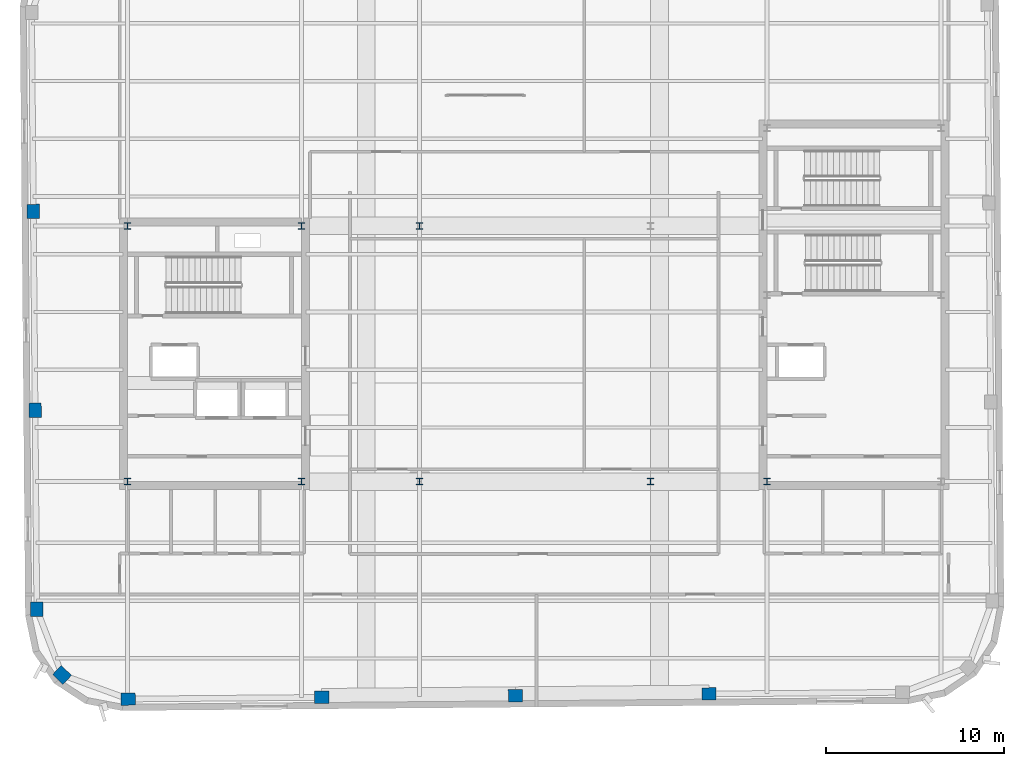
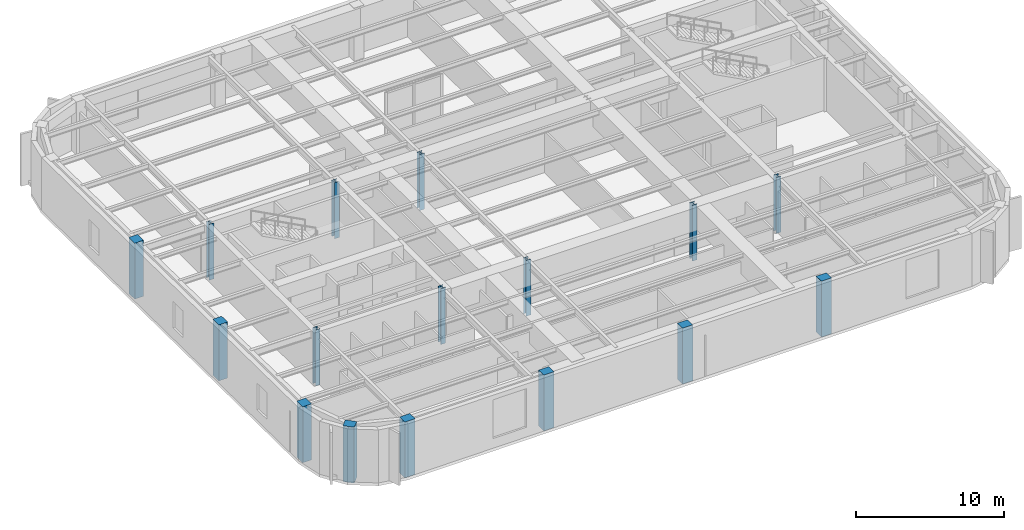
# One storey, part 1 of 14: 16 columns.
"""IFC4 building model written with IfcOpenShell, lengths in metres."""

from ifc_helpers import new_model, si_unit, direction, frame, origin, origin_2d, place, context, subcontext, project, spatial, rectangle, i_section, extrude, material, material_profile, profile_set, type_object, element, save


model = new_model("IFC4")

# Units and contexts
model_context = context("Model", 3, precision=1e-05, world=origin(), true_north=direction((0.0, 1.0)))
body_context = subcontext(model_context, "Body", "Model", "MODEL_VIEW")
ifc_project = project(units=[si_unit("LENGTHUNIT", "METRE"), si_unit("AREAUNIT", "SQUARE_METRE"), si_unit("VOLUMEUNIT", "CUBIC_METRE"), si_unit("PLANEANGLEUNIT", "RADIAN"), si_unit("MASSUNIT", "GRAM", prefix="KILO")], contexts=[model_context])

# Site, building, storey
site_placement = place(None, origin())
site = spatial("IfcSite", under=ifc_project, at=site_placement, CompositionType="ELEMENT")
building_placement = place(site_placement, origin())
building = spatial("IfcBuilding", under=site, at=building_placement, Name="Kolvaren Arena Tower", CompositionType="ELEMENT")
storey_placement = place(building_placement, frame((0.0, 0.0, 317.199951171875)))
storey = spatial("IfcBuildingStorey", under=building, at=storey_placement, Name="L78", CompositionType="ELEMENT", Elevation=317.199951171875)

# Columns
ifc_material_1 = material(Name="Precast concrete C50/60", Category="concrete")
ifc_material_profile_1 = material_profile(ifc_material_1, rectangle(XDim=0.800048828125, YDim=0.699951171875, at=origin_2d()), Name="RC-800x700")
ifc_profile_set_1 = profile_set([ifc_material_profile_1], Name="Precast concrete C50/60")
column_type_1 = type_object("IfcColumnType", Name="EXCOL-Z5", PredefinedType="COLUMN", material=ifc_profile_set_1)
for number, where, z_axis, x_axis, name in (
    (1, (14.591796875, 7.210693359375, -0.239990234375), (0.0, 0.0, 1.0), (0.999961923064, 0.008726535498, 0.0), "Exoskeleton Perimeter Column 01 (L78)"),
    (2, (25.491455078125, 7.3056640625, -0.239990234375), (0.0, 0.0, 1.0), (0.999961923064, 0.008726535498, 0.0), "Exoskeleton Perimeter Column 02 (L78)"),
    (3, (36.39111328125, 7.40087890625, -0.239990234375), (0.0, 0.0, 1.0), (0.999961923064, 0.008726535498, 0.0), "Exoskeleton Perimeter Column 03 (L78)"),
    (4, (47.290771484375, 7.49609375, -0.239990234375), (0.0, 0.0, 1.0), (0.999961923064, 0.008726535498, 0.0), "Exoskeleton Perimeter Column 04 (L78)"),
    (5, (9.252197265625, 34.6650390625, -0.239990234375), (0.0, 0.0, 1.0), (-0.008726535498, 0.999961923064, 0.0), "Exoskeleton Perimeter Column 19 (L78)"),
    (6, (9.349853515625, 23.465576171875, -0.239990234375), (0.0, 0.0, 1.0), (-0.008726535498, 0.999961923064, 0.0), "Exoskeleton Perimeter Column 20 (L78)"),
    (7, (9.447509765625, 12.265869140625, -0.239990234375), (0.0, 0.0, 1.0), (-0.008726535498, 0.999961923064, 0.0), "Exoskeleton Perimeter Column 21 (L78)"),
    (8, (10.87109375, 8.5693359375, -0.239990234375), (0.0, 0.0, 1.0), (-0.713250449154, 0.7009092643, 0.0), "Exoskeleton Perimeter Column 22 (L78)"),
):
    element("IfcColumn", number, at=place(storey_placement, frame(where, z_axis=z_axis, x_axis=x_axis)), inside=storey, type_object=column_type_1, Name=name, PredefinedType="COLUMN", context=body_context, shape_type="SweptSolid", body=[
        extrude(rectangle(XDim=0.800048828125, YDim=0.699951171875, at=origin_2d()), origin(), (0.0, 0.0, 1.0), 4.6201171875),
    ])
ifc_material_2 = material(Name="Steel ASTM A913 Grade 65", Category="steel")
ifc_material_profile_2 = material_profile(ifc_material_2, i_section(OverallWidth=0.3740234375, OverallDepth=0.3720703125, WebThickness=0.016357421875, FlangeThickness=0.026123046875, FilletRadius=0.02001953125, at=origin_2d()), Name="W360x196")
ifc_profile_set_2 = profile_set([ifc_material_profile_2], Name="Steel ASTM A913 Grade 65")
column_type_2 = type_object("IfcColumnType", Name="SCOL-Z5", PredefinedType="COLUMN", material=ifc_profile_set_2)
for number, where, z_axis, x_axis, name in (
    (9, (14.550048828125, 19.449951171875, -0.239990234375), (0.0, 0.0, 1.0), (1.0, 0.0, 0.0), "Core Boundary Column WC-SW (L78)"),
    (10, (24.35009765625, 19.449951171875, -0.239990234375), (0.0, 0.0, 1.0), (1.0, 0.0, 0.0), "Core Boundary Column WC-SE (L78)"),
    (11, (14.550048828125, 33.85009765625, -0.239990234375), (0.0, 0.0, 1.0), (1.0, 0.0, 0.0), "Core Boundary Column WC-NW (L78)"),
    (12, (24.35009765625, 33.85009765625, -0.239990234375), (0.0, 0.0, 1.0), (1.0, 0.0, 0.0), "Core Boundary Column WC-NE (L78)"),
    (13, (50.550048828125, 19.449951171875, -0.239990234375), (0.0, 0.0, 1.0), (1.0, 0.0, 0.0), "Core Boundary Column EC-SW (L78)"),
    (14, (31.0, 19.449951171875, -0.239990234375), (0.0, 0.0, 1.0), (1.0, 0.0, 0.0), "Interior Gravity Column TC-SW (L78)"),
    (15, (44.0, 19.449951171875, -0.239990234375), (0.0, 0.0, 1.0), (1.0, 0.0, 0.0), "Interior Gravity Column TC-SE (L78)"),
    (16, (31.0, 33.85009765625, -0.239990234375), (0.0, 0.0, 1.0), (1.0, 0.0, 0.0), "Interior Gravity Column TC-NW (L78)"),
):
    element("IfcColumn", number, at=place(storey_placement, frame(where, z_axis=z_axis, x_axis=x_axis)), inside=storey, type_object=column_type_2, Name=name, PredefinedType="COLUMN", context=body_context, shape_type="SweptSolid", body=[
        extrude(i_section(OverallWidth=0.3740234375, OverallDepth=0.3720703125, WebThickness=0.016357421875, FlangeThickness=0.026123046875, FilletRadius=0.02001953125, at=origin_2d()), origin(), (0.0, 0.0, 1.0), 4.6201171875),
    ])

save(model, "model.ifc")
